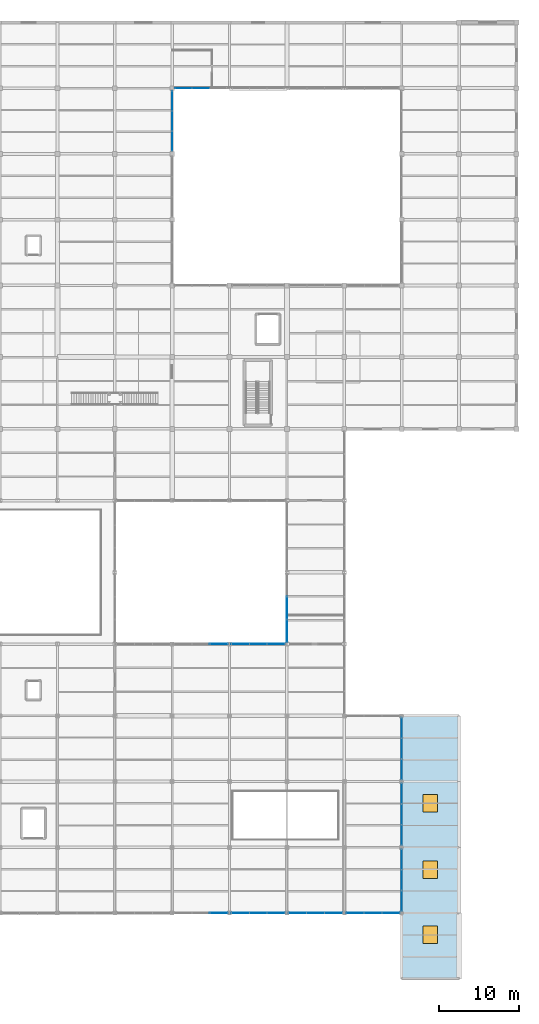
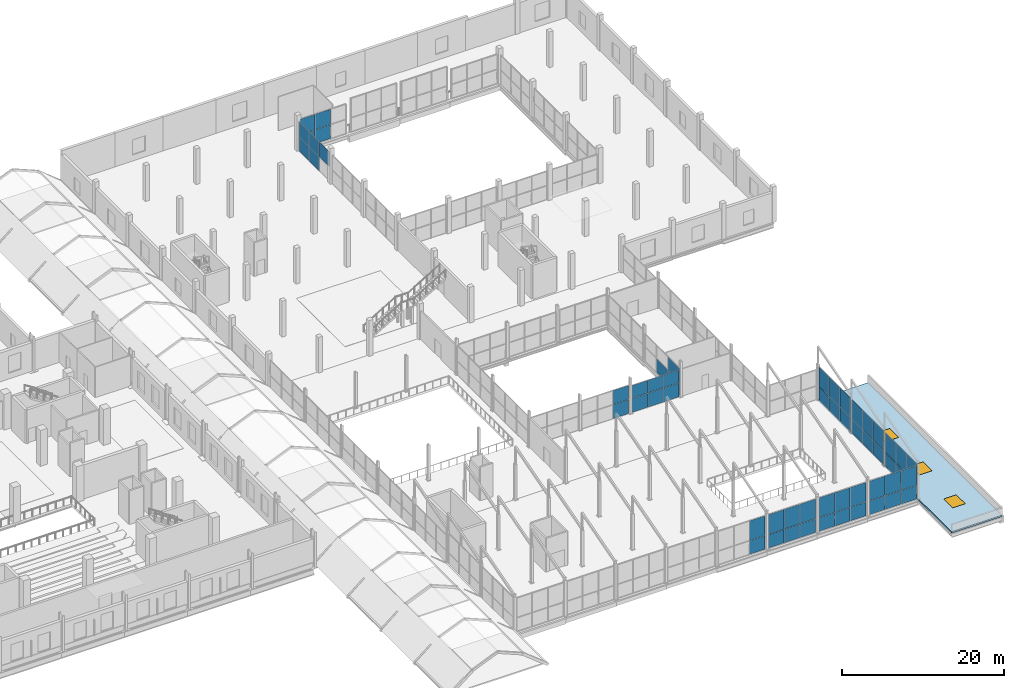
# One storey, part 103 of 141: 58 plates, 3 windows, 1 slab, 3 openings, 12 elements without a shape of their own.
"""IFC4 building model written with IfcOpenShell, lengths in metres."""

from ifc_helpers import new_model, si_unit, direction, frame, origin, origin_2d, place, context, subcontext, project, spatial, polyline, rectangle, outline, extrude, material, layer, layer_set, type_object, element, fill, aggregate, save


model = new_model("IFC4")

# Units and contexts
model_context = context("Model", 3, precision=1e-05, world=origin(), true_north=direction((0.0, 1.0)))
body_context = subcontext(model_context, "Body", "Model", "MODEL_VIEW")
ifc_project = project(units=[si_unit("LENGTHUNIT", "METRE"), si_unit("AREAUNIT", "SQUARE_METRE"), si_unit("VOLUMEUNIT", "CUBIC_METRE"), si_unit("PLANEANGLEUNIT", "RADIAN"), si_unit("MASSUNIT", "GRAM", prefix="KILO")], contexts=[model_context])

# Site, building, storey
site_placement = place(None, origin())
site = spatial("IfcSite", under=ifc_project, at=site_placement, CompositionType="ELEMENT")
building_placement = place(site_placement, origin())
building = spatial("IfcBuilding", under=site, at=building_placement, Name="Sundgate Opera House", CompositionType="ELEMENT")
storey_placement = place(building_placement, frame((0.0, 0.0, 11.39990234375)))
storey = spatial("IfcBuildingStorey", under=building, at=storey_placement, Name="L02", CompositionType="ELEMENT", Elevation=11.39990234375)

# Curtain wall, plates
ifc_material_1 = material(Name="Anodized aluminium and low-iron glass", Category="aluminium")
ifc_layer_1 = layer(ifc_material_1, 0.159912109375)
ifc_layer_set_1 = layer_set([ifc_layer_1], Name="Anodized aluminium and low-iron glass")
curtain_wall_type_1 = type_object("IfcCurtainWallType", Name="CW-STUDIO-DARK", PredefinedType="NOTDEFINED", material=ifc_layer_set_1)
curtain_wall_1_placement = place(storey_placement, origin())
curtain_wall_1 = element("IfcCurtainWall", 1, at=curtain_wall_1_placement, inside=storey, type_object=curtain_wall_type_1, Name="L02 Curtain Wall CW109", PredefinedType="NOTDEFINED")
ifc_material_2 = material(Name="Low-iron triple acoustic glazing", Category="glass")
ifc_layer_2 = layer(ifc_material_2, 0.035888671875)
ifc_layer_set_2 = layer_set([ifc_layer_2], Name="Low-iron triple acoustic glazing")
plate_type_1 = type_object("IfcPlateType", Name="CWP-CLEAR-36", PredefinedType="CURTAIN_PANEL", material=ifc_layer_set_2)
plate_1_placement = place(storey_placement, frame((127.800048828125, 111.75, 0.02001953125), z_axis=(0.0, 0.0, 1.0), x_axis=(-1.0, 0.0, 0.0)))
plate_1 = element("IfcPlate", 2, at=plate_1_placement, type_object=plate_type_1, Name="CW109 Panel 3", PredefinedType="CURTAIN_PANEL", context=body_context, shape_type="SweptSolid", body=[
    extrude(rectangle(XDim=2.126708984375, YDim=0.035888671875, at=origin_2d()), origin(), (0.0, 0.0, 1.0), 2.110107421875),
])
plate_2_placement = place(storey_placement, frame((127.800048828125, 111.75, 2.170166015625), z_axis=(0.0, 0.0, 1.0), x_axis=(-1.0, 0.0, 0.0)))
plate_2 = element("IfcPlate", 3, at=plate_2_placement, type_object=plate_type_1, Name="CW109 Panel 4", PredefinedType="CURTAIN_PANEL", context=body_context, shape_type="SweptSolid", body=[
    extrude(rectangle(XDim=2.126708984375, YDim=0.035888671875, at=origin_2d()), origin(), (0.0, 0.0, 1.0), 2.294921875),
])
plate_3_placement = place(storey_placement, frame((125.63330078125, 111.75, 0.02001953125), z_axis=(0.0, 0.0, 1.0), x_axis=(-1.0, 0.0, 0.0)))
plate_3 = element("IfcPlate", 4, at=plate_3_placement, type_object=plate_type_1, Name="CW109 Panel 5", PredefinedType="CURTAIN_PANEL", context=body_context, shape_type="SweptSolid", body=[
    extrude(rectangle(XDim=2.126708984375, YDim=0.035888671875, at=origin_2d()), origin(), (0.0, 0.0, 1.0), 2.110107421875),
])
plate_4_placement = place(storey_placement, frame((125.63330078125, 111.75, 2.170166015625), z_axis=(0.0, 0.0, 1.0), x_axis=(-1.0, 0.0, 0.0)))
plate_4 = element("IfcPlate", 5, at=plate_4_placement, type_object=plate_type_1, Name="CW109 Panel 6", PredefinedType="CURTAIN_PANEL", context=body_context, shape_type="SweptSolid", body=[
    extrude(rectangle(XDim=2.126708984375, YDim=0.035888671875, at=origin_2d()), origin(), (0.0, 0.0, 1.0), 2.294921875),
])
aggregate(curtain_wall_1, [plate_1, plate_2, plate_3, plate_4])

curtain_wall_2_placement = place(storey_placement, origin())
curtain_wall_2 = element("IfcCurtainWall", 6, at=curtain_wall_2_placement, inside=storey, type_object=curtain_wall_type_1, Name="L02 Curtain Wall CW120", PredefinedType="NOTDEFINED")
plate_5_placement = place(storey_placement, frame((124.199951171875, 105.1083984375, 2.169921875), z_axis=(0.0, 0.0, 1.0), x_axis=(0.0, 1.0, 0.0)))
plate_5 = element("IfcPlate", 7, at=plate_5_placement, type_object=plate_type_1, Name="CW120 Panel 2", PredefinedType="CURTAIN_PANEL", context=body_context, shape_type="SweptSolid", body=[
    extrude(rectangle(XDim=2.4765625, YDim=0.035888671875, at=origin_2d()), origin(), (0.0, 0.0, 1.0), 2.2451171875),
])
plate_6_placement = place(storey_placement, frame((124.199951171875, 107.625, 0.02001953125), z_axis=(0.0, 0.0, 1.0), x_axis=(0.0, 1.0, 0.0)))
plate_6 = element("IfcPlate", 8, at=plate_6_placement, type_object=plate_type_1, Name="CW120 Panel 3", PredefinedType="CURTAIN_PANEL", context=body_context, shape_type="SweptSolid", body=[
    extrude(rectangle(XDim=2.4765625, YDim=0.035888671875, at=origin_2d()), origin(), (0.0, 0.0, 1.0), 2.110107421875),
])
plate_7_placement = place(storey_placement, frame((124.199951171875, 107.625, 2.169921875), z_axis=(0.0, 0.0, 1.0), x_axis=(0.0, 1.0, 0.0)))
plate_7 = element("IfcPlate", 9, at=plate_7_placement, type_object=plate_type_1, Name="CW120 Panel 4", PredefinedType="CURTAIN_PANEL", context=body_context, shape_type="SweptSolid", body=[
    extrude(rectangle(XDim=2.4765625, YDim=0.035888671875, at=origin_2d()), origin(), (0.0, 0.0, 1.0), 2.2451171875),
])
plate_8_placement = place(storey_placement, frame((124.199951171875, 110.1416015625, 0.02001953125), z_axis=(0.0, 0.0, 1.0), x_axis=(0.0, 1.0, 0.0)))
plate_8 = element("IfcPlate", 10, at=plate_8_placement, type_object=plate_type_1, Name="CW120 Panel 5", PredefinedType="CURTAIN_PANEL", context=body_context, shape_type="SweptSolid", body=[
    extrude(rectangle(XDim=2.4765625, YDim=0.035888671875, at=origin_2d()), origin(), (0.0, 0.0, 1.0), 2.110107421875),
])
plate_9_placement = place(storey_placement, frame((124.199951171875, 110.1416015625, 2.169921875), z_axis=(0.0, 0.0, 1.0), x_axis=(0.0, 1.0, 0.0)))
plate_9 = element("IfcPlate", 11, at=plate_9_placement, type_object=plate_type_1, Name="CW120 Panel 6", PredefinedType="CURTAIN_PANEL", context=body_context, shape_type="SweptSolid", body=[
    extrude(rectangle(XDim=2.4765625, YDim=0.035888671875, at=origin_2d()), origin(), (0.0, 0.0, 1.0), 2.2451171875),
])
aggregate(curtain_wall_2, [plate_5, plate_6, plate_7, plate_8, plate_9])

curtain_wall_3_placement = place(storey_placement, origin())
curtain_wall_3 = element("IfcCurtainWall", 12, at=curtain_wall_3_placement, inside=storey, type_object=curtain_wall_type_1, Name="L02 Curtain Wall CW072", PredefinedType="NOTDEFINED")
ifc_material_3 = material(Name="Dark solar-control triple acoustic glazing", Category="glass")
ifc_layer_3 = layer(ifc_material_3, 0.031982421875)
ifc_layer_set_3 = layer_set([ifc_layer_3], Name="Dark solar-control triple acoustic glazing")
plate_type_2 = type_object("IfcPlateType", Name="CWP-DARK-32", PredefinedType="CURTAIN_PANEL", material=ifc_layer_set_3)
plate_10_placement = place(storey_placement, frame((130.050048828125, 42.0, 0.02001953125), z_axis=(0.0, 0.0, 1.0), x_axis=(1.0, 0.0, 0.0)))
plate_10 = element("IfcPlate", 13, at=plate_10_placement, type_object=plate_type_2, Name="CW072 Panel 5", PredefinedType="CURTAIN_PANEL", context=body_context, shape_type="SweptSolid", body=[
    extrude(rectangle(XDim=2.2099609375, YDim=0.031982421875, at=origin_2d()), origin(), (0.0, 0.0, 1.0), 2.110107421875),
])
plate_11_placement = place(storey_placement, frame((130.050048828125, 42.0, 2.169921875), z_axis=(0.0, 0.0, 1.0), x_axis=(1.0, 0.0, 0.0)))
plate_11 = element("IfcPlate", 14, at=plate_11_placement, type_object=plate_type_2, Name="CW072 Panel 6", PredefinedType="CURTAIN_PANEL", context=body_context, shape_type="SweptSolid", body=[
    extrude(rectangle(XDim=2.2099609375, YDim=0.031982421875, at=origin_2d()), origin(), (0.0, 0.0, 1.0), 2.114990234375),
])
aggregate(curtain_wall_3, [plate_10, plate_11])

curtain_wall_4_placement = place(storey_placement, origin())
curtain_wall_4 = element("IfcCurtainWall", 15, at=curtain_wall_4_placement, inside=storey, type_object=curtain_wall_type_1, Name="L02 Curtain Wall CW074", PredefinedType="NOTDEFINED")
plate_12_placement = place(storey_placement, frame((132.75, 42.0, 0.02001953125), z_axis=(0.0, 0.0, 1.0), x_axis=(1.0, 0.0, 0.0)))
plate_12 = element("IfcPlate", 16, at=plate_12_placement, type_object=plate_type_2, Name="CW074 Panel 1", PredefinedType="CURTAIN_PANEL", context=body_context, shape_type="SweptSolid", body=[
    extrude(rectangle(XDim=2.2099609375, YDim=0.031982421875, at=origin_2d()), origin(), (0.0, 0.0, 1.0), 2.110107421875),
])
plate_13_placement = place(storey_placement, frame((132.75, 42.0, 2.170166015625), z_axis=(0.0, 0.0, 1.0), x_axis=(1.0, 0.0, 0.0)))
plate_13 = element("IfcPlate", 17, at=plate_13_placement, type_object=plate_type_2, Name="CW074 Panel 2", PredefinedType="CURTAIN_PANEL", context=body_context, shape_type="SweptSolid", body=[
    extrude(rectangle(XDim=2.2099609375, YDim=0.031982421875, at=origin_2d()), origin(), (0.0, 0.0, 1.0), 1.9150390625),
])
plate_14_placement = place(storey_placement, frame((135.0, 42.0, 0.02001953125), z_axis=(0.0, 0.0, 1.0), x_axis=(1.0, 0.0, 0.0)))
plate_14 = element("IfcPlate", 18, at=plate_14_placement, type_object=plate_type_2, Name="CW074 Panel 3", PredefinedType="CURTAIN_PANEL", context=body_context, shape_type="SweptSolid", body=[
    extrude(rectangle(XDim=2.2099609375, YDim=0.031982421875, at=origin_2d()), origin(), (0.0, 0.0, 1.0), 2.110107421875),
])
plate_15_placement = place(storey_placement, frame((135.0, 42.0, 2.170166015625), z_axis=(0.0, 0.0, 1.0), x_axis=(1.0, 0.0, 0.0)))
plate_15 = element("IfcPlate", 19, at=plate_15_placement, type_object=plate_type_2, Name="CW074 Panel 4", PredefinedType="CURTAIN_PANEL", context=body_context, shape_type="SweptSolid", body=[
    extrude(rectangle(XDim=2.2099609375, YDim=0.031982421875, at=origin_2d()), origin(), (0.0, 0.0, 1.0), 1.9150390625),
])
plate_16_placement = place(storey_placement, frame((137.25, 42.0, 0.02001953125), z_axis=(0.0, 0.0, 1.0), x_axis=(1.0, 0.0, 0.0)))
plate_16 = element("IfcPlate", 20, at=plate_16_placement, type_object=plate_type_2, Name="CW074 Panel 5", PredefinedType="CURTAIN_PANEL", context=body_context, shape_type="SweptSolid", body=[
    extrude(rectangle(XDim=2.2099609375, YDim=0.031982421875, at=origin_2d()), origin(), (0.0, 0.0, 1.0), 2.110107421875),
])
plate_17_placement = place(storey_placement, frame((137.25, 42.0, 2.170166015625), z_axis=(0.0, 0.0, 1.0), x_axis=(1.0, 0.0, 0.0)))
plate_17 = element("IfcPlate", 21, at=plate_17_placement, type_object=plate_type_2, Name="CW074 Panel 6", PredefinedType="CURTAIN_PANEL", context=body_context, shape_type="SweptSolid", body=[
    extrude(rectangle(XDim=2.2099609375, YDim=0.031982421875, at=origin_2d()), origin(), (0.0, 0.0, 1.0), 1.9150390625),
])
aggregate(curtain_wall_4, [plate_12, plate_13, plate_14, plate_15, plate_16, plate_17])

curtain_wall_5_placement = place(storey_placement, origin())
curtain_wall_5 = element("IfcCurtainWall", 22, at=curtain_wall_5_placement, inside=storey, type_object=curtain_wall_type_1, Name="L02 Curtain Wall CW077", PredefinedType="NOTDEFINED")
plate_18_placement = place(storey_placement, frame((138.60009765625, 46.5, 0.02001953125), z_axis=(0.0, 0.0, 1.0), x_axis=(0.0, -1.0, 0.0)))
plate_18 = element("IfcPlate", 23, at=plate_18_placement, type_object=plate_type_2, Name="CW077 Panel 3", PredefinedType="CURTAIN_PANEL", context=body_context, shape_type="SweptSolid", body=[
    extrude(rectangle(XDim=2.81005859375, YDim=0.031982421875, at=origin_2d()), origin(), (0.0, 0.0, 1.0), 2.110107421875),
])
plate_19_placement = place(storey_placement, frame((138.60009765625, 43.64990234375, 0.02001953125), z_axis=(0.0, 0.0, 1.0), x_axis=(0.0, -1.0, 0.0)))
plate_19 = element("IfcPlate", 24, at=plate_19_placement, type_object=plate_type_2, Name="CW077 Panel 5", PredefinedType="CURTAIN_PANEL", context=body_context, shape_type="SweptSolid", body=[
    extrude(rectangle(XDim=2.81005859375, YDim=0.031982421875, at=origin_2d()), origin(), (0.0, 0.0, 1.0), 2.110107421875),
])
plate_20_placement = place(storey_placement, frame((138.60009765625, 43.64990234375, 2.170166015625), z_axis=(0.0, 0.0, 1.0), x_axis=(0.0, -1.0, 0.0)))
plate_20 = element("IfcPlate", 25, at=plate_20_placement, type_object=plate_type_2, Name="CW077 Panel 6", PredefinedType="CURTAIN_PANEL", context=body_context, shape_type="SweptSolid", body=[
    extrude(rectangle(XDim=2.81005859375, YDim=0.031982421875, at=origin_2d()), origin(), (0.0, 0.0, 1.0), 1.9150390625),
])
aggregate(curtain_wall_5, [plate_18, plate_19, plate_20])

ifc_material_4 = material(Name="Anodized aluminium and low-iron glass", Category="aluminium")
ifc_layer_4 = layer(ifc_material_4, 0.14990234375)
ifc_layer_set_4 = layer_set([ifc_layer_4], Name="Anodized aluminium and low-iron glass")
curtain_wall_type_2 = type_object("IfcCurtainWallType", Name="CW-WORKSHOP-DARK", PredefinedType="NOTDEFINED", material=ifc_layer_set_4)
curtain_wall_6_placement = place(storey_placement, origin())
curtain_wall_6 = element("IfcCurtainWall", 26, at=curtain_wall_6_placement, inside=storey, type_object=curtain_wall_type_2, Name="L02 Curtain Wall CW158", PredefinedType="NOTDEFINED")
plate_21_placement = place(storey_placement, frame((130.050048828125, 8.25, 0.02001953125), z_axis=(0.0, 0.0, 1.0), x_axis=(-1.0, 0.0, 0.0)))
plate_21 = element("IfcPlate", 27, at=plate_21_placement, type_object=plate_type_2, Name="CW158 Panel 1", PredefinedType="CURTAIN_PANEL", context=body_context, shape_type="SweptSolid", body=[
    extrude(rectangle(XDim=2.2099609375, YDim=0.031982421875, at=origin_2d()), origin(), (0.0, 0.0, 1.0), 2.06005859375),
])
plate_22_placement = place(storey_placement, frame((130.050048828125, 8.25, 2.1201171875), z_axis=(0.0, 0.0, 1.0), x_axis=(-1.0, 0.0, 0.0)))
plate_22 = element("IfcPlate", 28, at=plate_22_placement, type_object=plate_type_2, Name="CW158 Panel 2", PredefinedType="CURTAIN_PANEL", context=body_context, shape_type="SweptSolid", body=[
    extrude(rectangle(XDim=2.2099609375, YDim=0.031982421875, at=origin_2d()), origin(), (0.0, 0.0, 1.0), 2.945068359375),
])
aggregate(curtain_wall_6, [plate_21, plate_22])

curtain_wall_7_placement = place(storey_placement, origin())
curtain_wall_7 = element("IfcCurtainWall", 29, at=curtain_wall_7_placement, inside=storey, type_object=curtain_wall_type_2, Name="L02 Curtain Wall CW160", PredefinedType="NOTDEFINED")
plate_23_placement = place(storey_placement, frame((144.449951171875, 8.25, 0.02001953125), z_axis=(0.0, 0.0, 1.0), x_axis=(-1.0, 0.0, 0.0)))
plate_23 = element("IfcPlate", 30, at=plate_23_placement, type_object=plate_type_2, Name="CW160 Panel 1", PredefinedType="CURTAIN_PANEL", context=body_context, shape_type="SweptSolid", body=[
    extrude(rectangle(XDim=2.2099609375, YDim=0.031982421875, at=origin_2d()), origin(), (0.0, 0.0, 1.0), 2.06005859375),
])
plate_24_placement = place(storey_placement, frame((144.449951171875, 8.25, 2.1201171875), z_axis=(0.0, 0.0, 1.0), x_axis=(-1.0, 0.0, 0.0)))
plate_24 = element("IfcPlate", 31, at=plate_24_placement, type_object=plate_type_2, Name="CW160 Panel 2", PredefinedType="CURTAIN_PANEL", context=body_context, shape_type="SweptSolid", body=[
    extrude(rectangle(XDim=2.2099609375, YDim=0.031982421875, at=origin_2d()), origin(), (0.0, 0.0, 1.0), 2.945068359375),
])
plate_25_placement = place(storey_placement, frame((142.199951171875, 8.25, 0.02001953125), z_axis=(0.0, 0.0, 1.0), x_axis=(-1.0, 0.0, 0.0)))
plate_25 = element("IfcPlate", 32, at=plate_25_placement, type_object=plate_type_2, Name="CW160 Panel 3", PredefinedType="CURTAIN_PANEL", context=body_context, shape_type="SweptSolid", body=[
    extrude(rectangle(XDim=2.2099609375, YDim=0.031982421875, at=origin_2d()), origin(), (0.0, 0.0, 1.0), 2.06005859375),
])
plate_26_placement = place(storey_placement, frame((142.199951171875, 8.25, 2.1201171875), z_axis=(0.0, 0.0, 1.0), x_axis=(-1.0, 0.0, 0.0)))
plate_26 = element("IfcPlate", 33, at=plate_26_placement, type_object=plate_type_2, Name="CW160 Panel 4", PredefinedType="CURTAIN_PANEL", context=body_context, shape_type="SweptSolid", body=[
    extrude(rectangle(XDim=2.2099609375, YDim=0.031982421875, at=origin_2d()), origin(), (0.0, 0.0, 1.0), 2.945068359375),
])
plate_27_placement = place(storey_placement, frame((139.949951171875, 8.25, 0.02001953125), z_axis=(0.0, 0.0, 1.0), x_axis=(-1.0, 0.0, 0.0)))
plate_27 = element("IfcPlate", 34, at=plate_27_placement, type_object=plate_type_2, Name="CW160 Panel 5", PredefinedType="CURTAIN_PANEL", context=body_context, shape_type="SweptSolid", body=[
    extrude(rectangle(XDim=2.2099609375, YDim=0.031982421875, at=origin_2d()), origin(), (0.0, 0.0, 1.0), 2.06005859375),
])
plate_28_placement = place(storey_placement, frame((139.949951171875, 8.25, 2.1201171875), z_axis=(0.0, 0.0, 1.0), x_axis=(-1.0, 0.0, 0.0)))
plate_28 = element("IfcPlate", 35, at=plate_28_placement, type_object=plate_type_2, Name="CW160 Panel 6", PredefinedType="CURTAIN_PANEL", context=body_context, shape_type="SweptSolid", body=[
    extrude(rectangle(XDim=2.2099609375, YDim=0.031982421875, at=origin_2d()), origin(), (0.0, 0.0, 1.0), 2.945068359375),
])
aggregate(curtain_wall_7, [plate_23, plate_24, plate_25, plate_26, plate_27, plate_28])

curtain_wall_8_placement = place(storey_placement, origin())
curtain_wall_8 = element("IfcCurtainWall", 36, at=curtain_wall_8_placement, inside=storey, type_object=curtain_wall_type_2, Name="L02 Curtain Wall CW161", PredefinedType="NOTDEFINED")
plate_29_placement = place(storey_placement, frame((151.64990234375, 8.25, 0.02001953125), z_axis=(0.0, 0.0, 1.0), x_axis=(-1.0, 0.0, 0.0)))
plate_29 = element("IfcPlate", 37, at=plate_29_placement, type_object=plate_type_2, Name="CW161 Panel 1", PredefinedType="CURTAIN_PANEL", context=body_context, shape_type="SweptSolid", body=[
    extrude(rectangle(XDim=2.2099609375, YDim=0.031982421875, at=origin_2d()), origin(), (0.0, 0.0, 1.0), 2.06005859375),
])
plate_30_placement = place(storey_placement, frame((151.64990234375, 8.25, 2.1201171875), z_axis=(0.0, 0.0, 1.0), x_axis=(-1.0, 0.0, 0.0)))
plate_30 = element("IfcPlate", 38, at=plate_30_placement, type_object=plate_type_2, Name="CW161 Panel 2", PredefinedType="CURTAIN_PANEL", context=body_context, shape_type="SweptSolid", body=[
    extrude(rectangle(XDim=2.2099609375, YDim=0.031982421875, at=origin_2d()), origin(), (0.0, 0.0, 1.0), 2.945068359375),
])
plate_31_placement = place(storey_placement, frame((149.39990234375, 8.25, 0.02001953125), z_axis=(0.0, 0.0, 1.0), x_axis=(-1.0, 0.0, 0.0)))
plate_31 = element("IfcPlate", 39, at=plate_31_placement, type_object=plate_type_2, Name="CW161 Panel 3", PredefinedType="CURTAIN_PANEL", context=body_context, shape_type="SweptSolid", body=[
    extrude(rectangle(XDim=2.2099609375, YDim=0.031982421875, at=origin_2d()), origin(), (0.0, 0.0, 1.0), 2.06005859375),
])
plate_32_placement = place(storey_placement, frame((149.39990234375, 8.25, 2.1201171875), z_axis=(0.0, 0.0, 1.0), x_axis=(-1.0, 0.0, 0.0)))
plate_32 = element("IfcPlate", 40, at=plate_32_placement, type_object=plate_type_2, Name="CW161 Panel 4", PredefinedType="CURTAIN_PANEL", context=body_context, shape_type="SweptSolid", body=[
    extrude(rectangle(XDim=2.2099609375, YDim=0.031982421875, at=origin_2d()), origin(), (0.0, 0.0, 1.0), 2.945068359375),
])
plate_33_placement = place(storey_placement, frame((147.14990234375, 8.25, 0.02001953125), z_axis=(0.0, 0.0, 1.0), x_axis=(-1.0, 0.0, 0.0)))
plate_33 = element("IfcPlate", 41, at=plate_33_placement, type_object=plate_type_2, Name="CW161 Panel 5", PredefinedType="CURTAIN_PANEL", context=body_context, shape_type="SweptSolid", body=[
    extrude(rectangle(XDim=2.2099609375, YDim=0.031982421875, at=origin_2d()), origin(), (0.0, 0.0, 1.0), 2.06005859375),
])
plate_34_placement = place(storey_placement, frame((147.14990234375, 8.25, 2.1201171875), z_axis=(0.0, 0.0, 1.0), x_axis=(-1.0, 0.0, 0.0)))
plate_34 = element("IfcPlate", 42, at=plate_34_placement, type_object=plate_type_2, Name="CW161 Panel 6", PredefinedType="CURTAIN_PANEL", context=body_context, shape_type="SweptSolid", body=[
    extrude(rectangle(XDim=2.2099609375, YDim=0.031982421875, at=origin_2d()), origin(), (0.0, 0.0, 1.0), 2.945068359375),
])
aggregate(curtain_wall_8, [plate_29, plate_30, plate_31, plate_32, plate_33, plate_34])

curtain_wall_9_placement = place(storey_placement, origin())
curtain_wall_9 = element("IfcCurtainWall", 43, at=curtain_wall_9_placement, inside=storey, type_object=curtain_wall_type_2, Name="L02 Curtain Wall CW165", PredefinedType="NOTDEFINED")
plate_35_placement = place(storey_placement, frame((153.0, 9.77490234375, 0.02001953125), z_axis=(0.0, 0.0, 1.0), x_axis=(0.0, 1.0, 0.0)))
plate_35 = element("IfcPlate", 44, at=plate_35_placement, type_object=plate_type_2, Name="CW165 Panel 1", PredefinedType="CURTAIN_PANEL", context=body_context, shape_type="SweptSolid", body=[
    extrude(rectangle(XDim=2.56005859375, YDim=0.031982421875, at=origin_2d()), origin(), (0.0, 0.0, 1.0), 2.06005859375),
])
plate_36_placement = place(storey_placement, frame((153.0, 9.77490234375, 2.1201171875), z_axis=(0.0, 0.0, 1.0), x_axis=(0.0, 1.0, 0.0)))
plate_36 = element("IfcPlate", 45, at=plate_36_placement, type_object=plate_type_2, Name="CW165 Panel 2", PredefinedType="CURTAIN_PANEL", context=body_context, shape_type="SweptSolid", body=[
    extrude(rectangle(XDim=2.56005859375, YDim=0.031982421875, at=origin_2d()), origin(), (0.0, 0.0, 1.0), 2.945068359375),
])
plate_37_placement = place(storey_placement, frame((153.0, 12.375, 0.02001953125), z_axis=(0.0, 0.0, 1.0), x_axis=(0.0, 1.0, 0.0)))
plate_37 = element("IfcPlate", 46, at=plate_37_placement, type_object=plate_type_2, Name="CW165 Panel 3", PredefinedType="CURTAIN_PANEL", context=body_context, shape_type="SweptSolid", body=[
    extrude(rectangle(XDim=2.56005859375, YDim=0.031982421875, at=origin_2d()), origin(), (0.0, 0.0, 1.0), 2.06005859375),
])
plate_38_placement = place(storey_placement, frame((153.0, 12.375, 2.1201171875), z_axis=(0.0, 0.0, 1.0), x_axis=(0.0, 1.0, 0.0)))
plate_38 = element("IfcPlate", 47, at=plate_38_placement, type_object=plate_type_2, Name="CW165 Panel 4", PredefinedType="CURTAIN_PANEL", context=body_context, shape_type="SweptSolid", body=[
    extrude(rectangle(XDim=2.56005859375, YDim=0.031982421875, at=origin_2d()), origin(), (0.0, 0.0, 1.0), 2.945068359375),
])
plate_39_placement = place(storey_placement, frame((153.0, 14.97509765625, 0.02001953125), z_axis=(0.0, 0.0, 1.0), x_axis=(0.0, 1.0, 0.0)))
plate_39 = element("IfcPlate", 48, at=plate_39_placement, type_object=plate_type_2, Name="CW165 Panel 5", PredefinedType="CURTAIN_PANEL", context=body_context, shape_type="SweptSolid", body=[
    extrude(rectangle(XDim=2.56005859375, YDim=0.031982421875, at=origin_2d()), origin(), (0.0, 0.0, 1.0), 2.06005859375),
])
plate_40_placement = place(storey_placement, frame((153.0, 14.97509765625, 2.1201171875), z_axis=(0.0, 0.0, 1.0), x_axis=(0.0, 1.0, 0.0)))
plate_40 = element("IfcPlate", 49, at=plate_40_placement, type_object=plate_type_2, Name="CW165 Panel 6", PredefinedType="CURTAIN_PANEL", context=body_context, shape_type="SweptSolid", body=[
    extrude(rectangle(XDim=2.56005859375, YDim=0.031982421875, at=origin_2d()), origin(), (0.0, 0.0, 1.0), 2.945068359375),
])
aggregate(curtain_wall_9, [plate_35, plate_36, plate_37, plate_38, plate_39, plate_40])

curtain_wall_10_placement = place(storey_placement, origin())
curtain_wall_10 = element("IfcCurtainWall", 50, at=curtain_wall_10_placement, inside=storey, type_object=curtain_wall_type_2, Name="L02 Curtain Wall CW166", PredefinedType="NOTDEFINED")
plate_41_placement = place(storey_placement, frame((153.0, 18.02490234375, 0.02001953125), z_axis=(0.0, 0.0, 1.0), x_axis=(0.0, 1.0, 0.0)))
plate_41 = element("IfcPlate", 51, at=plate_41_placement, type_object=plate_type_2, Name="CW166 Panel 1", PredefinedType="CURTAIN_PANEL", context=body_context, shape_type="SweptSolid", body=[
    extrude(rectangle(XDim=2.56005859375, YDim=0.031982421875, at=origin_2d()), origin(), (0.0, 0.0, 1.0), 2.06005859375),
])
plate_42_placement = place(storey_placement, frame((153.0, 18.02490234375, 2.1201171875), z_axis=(0.0, 0.0, 1.0), x_axis=(0.0, 1.0, 0.0)))
plate_42 = element("IfcPlate", 52, at=plate_42_placement, type_object=plate_type_2, Name="CW166 Panel 2", PredefinedType="CURTAIN_PANEL", context=body_context, shape_type="SweptSolid", body=[
    extrude(rectangle(XDim=2.56005859375, YDim=0.031982421875, at=origin_2d()), origin(), (0.0, 0.0, 1.0), 2.945068359375),
])
plate_43_placement = place(storey_placement, frame((153.0, 20.625, 0.02001953125), z_axis=(0.0, 0.0, 1.0), x_axis=(0.0, 1.0, 0.0)))
plate_43 = element("IfcPlate", 53, at=plate_43_placement, type_object=plate_type_2, Name="CW166 Panel 3", PredefinedType="CURTAIN_PANEL", context=body_context, shape_type="SweptSolid", body=[
    extrude(rectangle(XDim=2.56005859375, YDim=0.031982421875, at=origin_2d()), origin(), (0.0, 0.0, 1.0), 2.06005859375),
])
plate_44_placement = place(storey_placement, frame((153.0, 20.625, 2.1201171875), z_axis=(0.0, 0.0, 1.0), x_axis=(0.0, 1.0, 0.0)))
plate_44 = element("IfcPlate", 54, at=plate_44_placement, type_object=plate_type_2, Name="CW166 Panel 4", PredefinedType="CURTAIN_PANEL", context=body_context, shape_type="SweptSolid", body=[
    extrude(rectangle(XDim=2.56005859375, YDim=0.031982421875, at=origin_2d()), origin(), (0.0, 0.0, 1.0), 2.945068359375),
])
plate_45_placement = place(storey_placement, frame((153.0, 23.22509765625, 0.02001953125), z_axis=(0.0, 0.0, 1.0), x_axis=(0.0, 1.0, 0.0)))
plate_45 = element("IfcPlate", 55, at=plate_45_placement, type_object=plate_type_2, Name="CW166 Panel 5", PredefinedType="CURTAIN_PANEL", context=body_context, shape_type="SweptSolid", body=[
    extrude(rectangle(XDim=2.56005859375, YDim=0.031982421875, at=origin_2d()), origin(), (0.0, 0.0, 1.0), 2.06005859375),
])
plate_46_placement = place(storey_placement, frame((153.0, 23.22509765625, 2.1201171875), z_axis=(0.0, 0.0, 1.0), x_axis=(0.0, 1.0, 0.0)))
plate_46 = element("IfcPlate", 56, at=plate_46_placement, type_object=plate_type_2, Name="CW166 Panel 6", PredefinedType="CURTAIN_PANEL", context=body_context, shape_type="SweptSolid", body=[
    extrude(rectangle(XDim=2.56005859375, YDim=0.031982421875, at=origin_2d()), origin(), (0.0, 0.0, 1.0), 2.945068359375),
])
aggregate(curtain_wall_10, [plate_41, plate_42, plate_43, plate_44, plate_45, plate_46])

curtain_wall_11_placement = place(storey_placement, origin())
curtain_wall_11 = element("IfcCurtainWall", 57, at=curtain_wall_11_placement, inside=storey, type_object=curtain_wall_type_2, Name="L02 Curtain Wall CW167", PredefinedType="NOTDEFINED")
plate_47_placement = place(storey_placement, frame((153.0, 26.27490234375, 0.02001953125), z_axis=(0.0, 0.0, 1.0), x_axis=(0.0, 1.0, 0.0)))
plate_47 = element("IfcPlate", 58, at=plate_47_placement, type_object=plate_type_2, Name="CW167 Panel 1", PredefinedType="CURTAIN_PANEL", context=body_context, shape_type="SweptSolid", body=[
    extrude(rectangle(XDim=2.56005859375, YDim=0.031982421875, at=origin_2d()), origin(), (0.0, 0.0, 1.0), 2.06005859375),
])
plate_48_placement = place(storey_placement, frame((153.0, 26.27490234375, 2.1201171875), z_axis=(0.0, 0.0, 1.0), x_axis=(0.0, 1.0, 0.0)))
plate_48 = element("IfcPlate", 59, at=plate_48_placement, type_object=plate_type_2, Name="CW167 Panel 2", PredefinedType="CURTAIN_PANEL", context=body_context, shape_type="SweptSolid", body=[
    extrude(rectangle(XDim=2.56005859375, YDim=0.031982421875, at=origin_2d()), origin(), (0.0, 0.0, 1.0), 2.945068359375),
])
plate_49_placement = place(storey_placement, frame((153.0, 28.875, 0.02001953125), z_axis=(0.0, 0.0, 1.0), x_axis=(0.0, 1.0, 0.0)))
plate_49 = element("IfcPlate", 60, at=plate_49_placement, type_object=plate_type_2, Name="CW167 Panel 3", PredefinedType="CURTAIN_PANEL", context=body_context, shape_type="SweptSolid", body=[
    extrude(rectangle(XDim=2.56005859375, YDim=0.031982421875, at=origin_2d()), origin(), (0.0, 0.0, 1.0), 2.06005859375),
])
plate_50_placement = place(storey_placement, frame((153.0, 28.875, 2.1201171875), z_axis=(0.0, 0.0, 1.0), x_axis=(0.0, 1.0, 0.0)))
plate_50 = element("IfcPlate", 61, at=plate_50_placement, type_object=plate_type_2, Name="CW167 Panel 4", PredefinedType="CURTAIN_PANEL", context=body_context, shape_type="SweptSolid", body=[
    extrude(rectangle(XDim=2.56005859375, YDim=0.031982421875, at=origin_2d()), origin(), (0.0, 0.0, 1.0), 2.945068359375),
])
plate_51_placement = place(storey_placement, frame((153.0, 31.47509765625, 0.02001953125), z_axis=(0.0, 0.0, 1.0), x_axis=(0.0, 1.0, 0.0)))
plate_51 = element("IfcPlate", 62, at=plate_51_placement, type_object=plate_type_2, Name="CW167 Panel 5", PredefinedType="CURTAIN_PANEL", context=body_context, shape_type="SweptSolid", body=[
    extrude(rectangle(XDim=2.56005859375, YDim=0.031982421875, at=origin_2d()), origin(), (0.0, 0.0, 1.0), 2.06005859375),
])
plate_52_placement = place(storey_placement, frame((153.0, 31.47509765625, 2.1201171875), z_axis=(0.0, 0.0, 1.0), x_axis=(0.0, 1.0, 0.0)))
plate_52 = element("IfcPlate", 63, at=plate_52_placement, type_object=plate_type_2, Name="CW167 Panel 6", PredefinedType="CURTAIN_PANEL", context=body_context, shape_type="SweptSolid", body=[
    extrude(rectangle(XDim=2.56005859375, YDim=0.031982421875, at=origin_2d()), origin(), (0.0, 0.0, 1.0), 2.945068359375),
])
aggregate(curtain_wall_11, [plate_47, plate_48, plate_49, plate_50, plate_51, plate_52])

curtain_wall_12_placement = place(storey_placement, origin())
curtain_wall_12 = element("IfcCurtainWall", 64, at=curtain_wall_12_placement, inside=storey, type_object=curtain_wall_type_2, Name="L02 Curtain Wall CW159", PredefinedType="NOTDEFINED")
ifc_material_5 = material(Name="Vitrified stoneware trencadis spandrel panel", Category="masonry")
ifc_layer_5 = layer(ifc_material_5, 0.0419921875)
ifc_layer_set_5 = layer_set([ifc_layer_5], Name="Vitrified stoneware trencadis spandrel panel")
plate_type_3 = type_object("IfcPlateType", Name="CWP-SPAND-42", PredefinedType="CURTAIN_PANEL", material=ifc_layer_set_5)
plate_53_placement = place(storey_placement, frame((137.25, 8.25, 0.02001953125), z_axis=(0.0, 0.0, 1.0), x_axis=(-1.0, 0.0, 0.0)))
plate_53 = element("IfcPlate", 65, at=plate_53_placement, type_object=plate_type_3, Name="CW159 Panel 1", PredefinedType="CURTAIN_PANEL", context=body_context, shape_type="SweptSolid", body=[
    extrude(rectangle(XDim=2.2099609375, YDim=0.0419921875, at=origin_2d()), origin(), (0.0, 0.0, 1.0), 2.06005859375),
])
plate_54_placement = place(storey_placement, frame((137.25, 8.25, 2.1201171875), z_axis=(0.0, 0.0, 1.0), x_axis=(-1.0, 0.0, 0.0)))
plate_54 = element("IfcPlate", 66, at=plate_54_placement, type_object=plate_type_3, Name="CW159 Panel 2", PredefinedType="CURTAIN_PANEL", context=body_context, shape_type="SweptSolid", body=[
    extrude(rectangle(XDim=2.2099609375, YDim=0.0419921875, at=origin_2d()), origin(), (0.0, 0.0, 1.0), 2.945068359375),
])
plate_55_placement = place(storey_placement, frame((135.0, 8.25, 0.02001953125), z_axis=(0.0, 0.0, 1.0), x_axis=(-1.0, 0.0, 0.0)))
plate_55 = element("IfcPlate", 67, at=plate_55_placement, type_object=plate_type_3, Name="CW159 Panel 3", PredefinedType="CURTAIN_PANEL", context=body_context, shape_type="SweptSolid", body=[
    extrude(rectangle(XDim=2.2099609375, YDim=0.0419921875, at=origin_2d()), origin(), (0.0, 0.0, 1.0), 2.06005859375),
])
plate_56_placement = place(storey_placement, frame((135.0, 8.25, 2.1201171875), z_axis=(0.0, 0.0, 1.0), x_axis=(-1.0, 0.0, 0.0)))
plate_56 = element("IfcPlate", 68, at=plate_56_placement, type_object=plate_type_3, Name="CW159 Panel 4", PredefinedType="CURTAIN_PANEL", context=body_context, shape_type="SweptSolid", body=[
    extrude(rectangle(XDim=2.2099609375, YDim=0.0419921875, at=origin_2d()), origin(), (0.0, 0.0, 1.0), 2.945068359375),
])
plate_57_placement = place(storey_placement, frame((132.75, 8.25, 0.02001953125), z_axis=(0.0, 0.0, 1.0), x_axis=(-1.0, 0.0, 0.0)))
plate_57 = element("IfcPlate", 69, at=plate_57_placement, type_object=plate_type_3, Name="CW159 Panel 5", PredefinedType="CURTAIN_PANEL", context=body_context, shape_type="SweptSolid", body=[
    extrude(rectangle(XDim=2.2099609375, YDim=0.0419921875, at=origin_2d()), origin(), (0.0, 0.0, 1.0), 2.06005859375),
])
plate_58_placement = place(storey_placement, frame((132.75, 8.25, 2.1201171875), z_axis=(0.0, 0.0, 1.0), x_axis=(-1.0, 0.0, 0.0)))
plate_58 = element("IfcPlate", 70, at=plate_58_placement, type_object=plate_type_3, Name="CW159 Panel 6", PredefinedType="CURTAIN_PANEL", context=body_context, shape_type="SweptSolid", body=[
    extrude(rectangle(XDim=2.2099609375, YDim=0.0419921875, at=origin_2d()), origin(), (0.0, 0.0, 1.0), 2.945068359375),
])
aggregate(curtain_wall_12, [plate_53, plate_54, plate_55, plate_56, plate_57, plate_58])

# Slab, openings, windows
ifc_material_6 = material(Name="Concrete C35/45", Category="concrete")
ifc_layer_6 = layer(ifc_material_6, 0.22998046875)
ifc_layer_set_6 = layer_set([ifc_layer_6], Name="Concrete C35/45")
slab_type = type_object("IfcSlabType", Name="SL-ROOF-230", PredefinedType="ROOF", material=ifc_layer_set_6)
slab_placement = place(storey_placement, frame((0.0, 0.0, -0.22998046875)))
slab = element("IfcSlab", 71, at=slab_placement, inside=storey, type_object=slab_type, Name="L02 V3 East Step-Back Skylight Roof", PredefinedType="ROOF", context=body_context, shape_type="SweptSolid", body=[
    extrude(outline(polyline([(153.0, 0.0), (160.199951171875, 0.0), (160.199951171875, 33.0), (153.0, 33.0), (153.0, 0.0)])), origin(), (0.0, 0.0, 1.0), 0.22998046875),
])
opening_1_placement = place(slab_placement, frame((156.60009765625, 5.5, 0.0)))
opening_1 = element("IfcOpeningElement", 72, at=opening_1_placement, cuts=slab, Name="Opening SK4", PredefinedType="OPENING", context=body_context, shape_type="SweptSolid", body=[
    extrude(rectangle(XDim=1.800048828125, YDim=2.199951171875, at=origin_2d()), origin(), (0.0, 0.0, 1.0), 0.22998046875),
])
opening_2_placement = place(slab_placement, frame((156.60009765625, 13.699951171875, 0.0)))
opening_2 = element("IfcOpeningElement", 73, at=opening_2_placement, cuts=slab, Name="Opening SK4", PredefinedType="OPENING", context=body_context, shape_type="SweptSolid", body=[
    extrude(rectangle(XDim=1.800048828125, YDim=2.199951171875, at=origin_2d()), origin(), (0.0, 0.0, 1.0), 0.22998046875),
])
opening_3_placement = place(slab_placement, frame((156.60009765625, 22.0, 0.0)))
opening_3 = element("IfcOpeningElement", 74, at=opening_3_placement, cuts=slab, Name="Opening SK4", PredefinedType="OPENING", context=body_context, shape_type="SweptSolid", body=[
    extrude(rectangle(XDim=1.800048828125, YDim=2.199951171875, at=origin_2d()), origin(), (0.0, 0.0, 1.0), 0.22998046875),
])
ifc_material_7 = material(Name="Low-iron triple glazing in patinated bronze frame", Category="glass")
window_type = type_object("IfcWindowType", Name="SK-DAY-1800x2200", PartitioningType="SINGLE_PANEL", PredefinedType="SKYLIGHT", material=ifc_material_7)
window_1_placement = place(opening_1_placement, frame((0.0, 0.0, 0.179931640625)))
window_1 = element("IfcWindow", 75, at=window_1_placement, inside=storey, type_object=window_type, Name="L02 Roof Skylight WN0357", OverallHeight=2.199951171875, OverallWidth=1.800048828125, PartitioningType="SINGLE_PANEL", PredefinedType="SKYLIGHT", context=body_context, shape_type="SweptSolid", body=[
    extrude(rectangle(XDim=1.800048828125, YDim=2.199951171875, at=origin_2d()), origin(), (0.0, 0.0, 1.0), 0.050048828125),
])
fill(opening_1, window_1)
window_2_placement = place(opening_2_placement, frame((0.0, 0.0, 0.179931640625)))
window_2 = element("IfcWindow", 76, at=window_2_placement, inside=storey, type_object=window_type, Name="L02 Roof Skylight WN0358", OverallHeight=2.199951171875, OverallWidth=1.800048828125, PartitioningType="SINGLE_PANEL", PredefinedType="SKYLIGHT", context=body_context, shape_type="SweptSolid", body=[
    extrude(rectangle(XDim=1.800048828125, YDim=2.199951171875, at=origin_2d()), origin(), (0.0, 0.0, 1.0), 0.050048828125),
])
fill(opening_2, window_2)
window_3_placement = place(opening_3_placement, frame((0.0, 0.0, 0.179931640625)))
window_3 = element("IfcWindow", 77, at=window_3_placement, inside=storey, type_object=window_type, Name="L02 Roof Skylight WN0359", OverallHeight=2.199951171875, OverallWidth=1.800048828125, PartitioningType="SINGLE_PANEL", PredefinedType="SKYLIGHT", context=body_context, shape_type="SweptSolid", body=[
    extrude(rectangle(XDim=1.800048828125, YDim=2.199951171875, at=origin_2d()), origin(), (0.0, 0.0, 1.0), 0.050048828125),
])
fill(opening_3, window_3)

save(model, "model.ifc")
